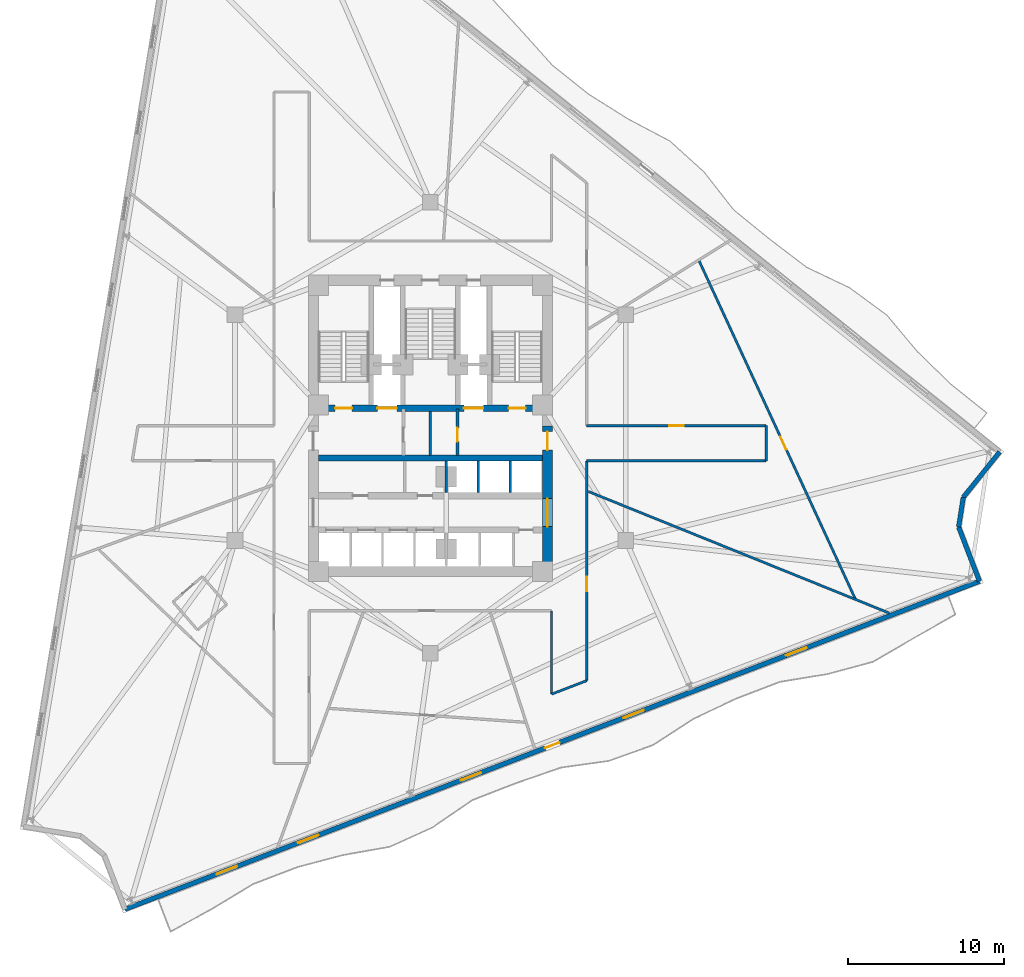
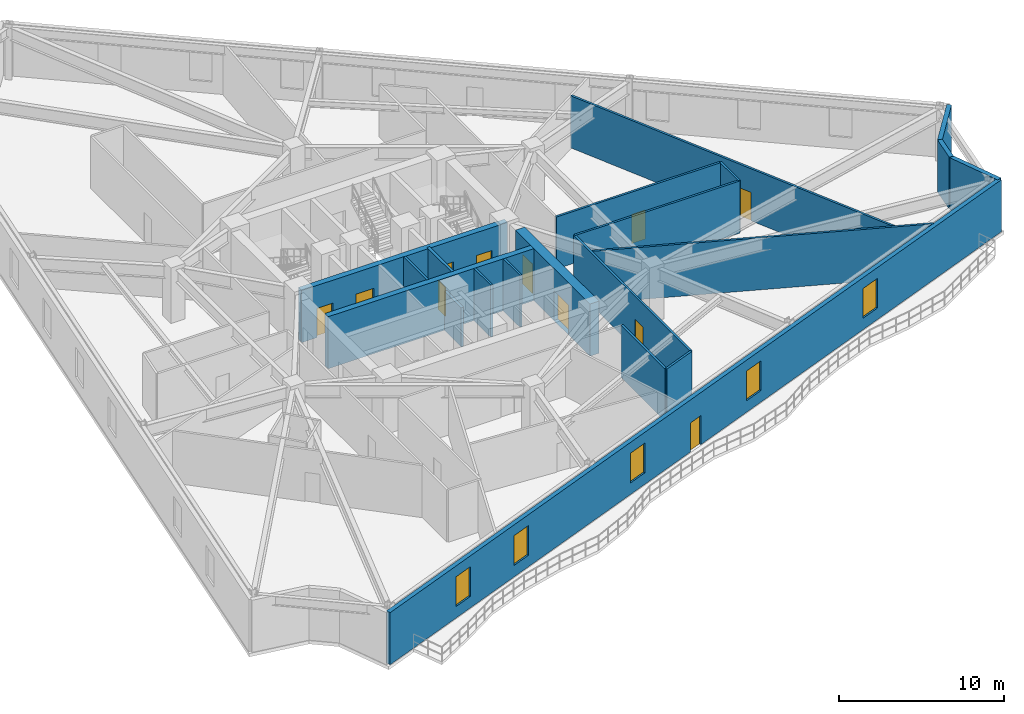
# One storey, part 5 of 10: 20 walls, 11 doors, 5 windows, 16 openings.
"""IFC4 building model written with IfcOpenShell, lengths in metres."""

from ifc_helpers import new_model, si_unit, direction, frame, frame_2d, origin, place, context, subcontext, project, spatial, rectangle, extrude, material, layer, layer_set, type_object, element, fill, save


model = new_model("IFC4")

# Units and contexts
model_context = context("Model", 3, precision=1e-05, world=origin(), true_north=direction((0.0, 1.0)))
body_context = subcontext(model_context, "Body", "Model", "MODEL_VIEW")
ifc_project = project(units=[si_unit("LENGTHUNIT", "METRE"), si_unit("AREAUNIT", "SQUARE_METRE"), si_unit("VOLUMEUNIT", "CUBIC_METRE"), si_unit("PLANEANGLEUNIT", "RADIAN"), si_unit("MASSUNIT", "GRAM", prefix="KILO")], contexts=[model_context])

# Site, building, storey
site_placement = place(None, origin())
site = spatial("IfcSite", under=ifc_project, at=site_placement, CompositionType="ELEMENT")
building_placement = place(site_placement, origin())
building = spatial("IfcBuilding", under=site, at=building_placement, Name="Apsidion Concourse Tower", CompositionType="ELEMENT")
storey_placement = place(building_placement, frame((0.0, 0.0, 136.300048828125)))
storey = spatial("IfcBuildingStorey", under=building, at=storey_placement, Name="L31", CompositionType="ELEMENT", Elevation=136.300048828125)

# Walls
ifc_material_1 = material(Name="Precast concrete C40/50", Category="concrete")
ifc_layer_1 = layer(ifc_material_1, 0.300048828125)
ifc_layer_set_1 = layer_set([ifc_layer_1], Name="Precast concrete C40/50")
wall_type_1 = type_object("IfcWallType", Name="WL-EXT-300", PredefinedType="STANDARD", material=ifc_layer_set_1)
wall_1_placement = place(storey_placement, frame((36.58984375, -1.556640625, 0.0), z_axis=(0.0, 0.0, 1.0), x_axis=(-0.62493402561, -0.780677567012, 0.0)))
element("IfcWall", 1, at=wall_1_placement, inside=storey, type_object=wall_type_1, Name="L31 Precast Stone Facade Wall 02", PredefinedType="STANDARD", context=body_context, shape_type="SweptSolid", body=[
    extrude(rectangle(XDim=3.737060546875, YDim=0.300048828125, at=frame_2d((1.86865234375, 0.0))), origin(), (0.0, 0.0, 1.0), 3.849853515625),
])
wall_2_placement = place(storey_placement, frame((34.25439453125, -4.47412109375, 0.0), z_axis=(0.0, 0.0, 1.0), x_axis=(-0.153717968475, -0.988114763663, 0.0)))
element("IfcWall", 2, at=wall_2_placement, inside=storey, type_object=wall_type_1, Name="L31 Precast Stone Facade Wall 03", PredefinedType="STANDARD", context=body_context, shape_type="SweptSolid", body=[
    extrude(rectangle(XDim=1.932861328125, YDim=0.300048828125, at=frame_2d((0.96630859375, 0.0))), origin(), (0.0, 0.0, 1.0), 3.849853515625),
])
wall_3_placement = place(storey_placement, frame((33.957275390625, -6.384033203125, 0.0), z_axis=(0.0, 0.0, 1.0), x_axis=(0.358344201462, -0.933589542186, 0.0)))
element("IfcWall", 3, at=wall_3_placement, inside=storey, type_object=wall_type_1, Name="L31 Precast Stone Facade Wall 04", PredefinedType="STANDARD", context=body_context, shape_type="SweptSolid", body=[
    extrude(rectangle(XDim=3.737060546875, YDim=0.300048828125, at=frame_2d((1.86865234375, 0.0))), origin(), (0.0, 0.0, 1.0), 3.849853515625),
])

# Wall, openings, door, windows
wall_4_placement = place(storey_placement, frame((35.29638671875, -9.872802734375, 0.0), z_axis=(0.0, 0.0, 1.0), x_axis=(-0.933580612554, -0.35836746485, 0.0)))
wall_4 = element("IfcWall", 4, at=wall_4_placement, inside=storey, type_object=wall_type_1, Name="L31 Precast Stone Facade Wall 05", PredefinedType="STANDARD", context=body_context, shape_type="SweptSolid", body=[
    extrude(rectangle(XDim=58.827880859375, YDim=0.300048828125, at=frame_2d((29.4140625, 0.0))), origin(), (0.0, 0.0, 1.0), 3.849853515625),
])
opening_1_placement = place(wall_4_placement, frame((28.9140625, 0.0, 0.0)))
opening_1 = element("IfcOpeningElement", 5, at=opening_1_placement, cuts=wall_4, Name="Opening D-T1R", PredefinedType="OPENING", context=body_context, shape_type="SweptSolid", body=[
    extrude(rectangle(XDim=1.0, YDim=2.14990234375, at=frame_2d((0.5, 1.074951171875))), frame((0.0, 0.16015625, 0.0), z_axis=(0.0, -1.0, 0.0), x_axis=(1.0, 0.0, 0.0)), (0.0, 0.0, 1.0), 0.320068359375),
])
opening_2_placement = place(wall_4_placement, frame((11.9140625, 0.0, 0.85009765625)))
opening_2 = element("IfcOpeningElement", 6, at=opening_2_placement, cuts=wall_4, Name="Opening WN-05", PredefinedType="OPENING", context=body_context, shape_type="SweptSolid", body=[
    extrude(rectangle(XDim=1.39990234375, YDim=2.199951171875, at=frame_2d((0.699951171875, 1.10009765625))), frame((0.0, 0.16015625, 0.0), z_axis=(0.0, -1.0, 0.0), x_axis=(1.0, 0.0, 0.0)), (0.0, 0.0, 1.0), 0.320068359375),
])
opening_3_placement = place(wall_4_placement, frame((23.114013671875, 0.0, 0.85009765625)))
opening_3 = element("IfcOpeningElement", 7, at=opening_3_placement, cuts=wall_4, Name="Opening WN-05", PredefinedType="OPENING", context=body_context, shape_type="SweptSolid", body=[
    extrude(rectangle(XDim=1.39990234375, YDim=2.199951171875, at=frame_2d((0.699951171875, 1.10009765625))), frame((0.0, 0.16015625, 0.0), z_axis=(0.0, -1.0, 0.0), x_axis=(1.0, 0.0, 0.0)), (0.0, 0.0, 1.0), 0.320068359375),
])
opening_4_placement = place(wall_4_placement, frame((34.31396484375, 0.0, 0.85009765625)))
opening_4 = element("IfcOpeningElement", 8, at=opening_4_placement, cuts=wall_4, Name="Opening WN-05", PredefinedType="OPENING", context=body_context, shape_type="SweptSolid", body=[
    extrude(rectangle(XDim=1.39990234375, YDim=2.199951171875, at=frame_2d((0.699951171875, 1.10009765625))), frame((0.0, 0.16015625, 0.0), z_axis=(0.0, -1.0, 0.0), x_axis=(1.0, 0.0, 0.0)), (0.0, 0.0, 1.0), 0.320068359375),
])
opening_5_placement = place(wall_4_placement, frame((45.513916015625, 0.0, 0.85009765625)))
opening_5 = element("IfcOpeningElement", 9, at=opening_5_placement, cuts=wall_4, Name="Opening WN-05", PredefinedType="OPENING", context=body_context, shape_type="SweptSolid", body=[
    extrude(rectangle(XDim=1.39990234375, YDim=2.199951171875, at=frame_2d((0.699951171875, 1.10009765625))), frame((0.0, 0.16015625, 0.0), z_axis=(0.0, -1.0, 0.0), x_axis=(1.0, 0.0, 0.0)), (0.0, 0.0, 1.0), 0.320068359375),
])
opening_6_placement = place(wall_4_placement, frame((51.114013671875, 0.0, 0.85009765625)))
opening_6 = element("IfcOpeningElement", 10, at=opening_6_placement, cuts=wall_4, Name="Opening WN-05", PredefinedType="OPENING", context=body_context, shape_type="SweptSolid", body=[
    extrude(rectangle(XDim=1.39990234375, YDim=2.199951171875, at=frame_2d((0.699951171875, 1.10009765625))), frame((0.0, 0.16015625, 0.0), z_axis=(0.0, -1.0, 0.0), x_axis=(1.0, 0.0, 0.0)), (0.0, 0.0, 1.0), 0.320068359375),
])
ifc_material_2 = material(Name="Anodised aluminium EN AW-6063 T6", Category="aluminium")
door_type_1 = type_object("IfcDoorType", Name="DR-TER-1022R", OperationType="SINGLE_SWING_RIGHT", PredefinedType="DOOR", material=ifc_material_2)
door_1_placement = place(opening_1_placement, origin())
door_1 = element("IfcDoor", 11, at=door_1_placement, inside=storey, type_object=door_type_1, Name="L31 Balcony Access Door 1", OperationType="SINGLE_SWING_RIGHT", OverallHeight=2.14990234375, OverallWidth=1.0, PredefinedType="DOOR", context=body_context, shape_type="SweptSolid", body=[
    extrude(rectangle(XDim=1.0, YDim=2.14990234375, at=frame_2d((0.5, 1.074951171875))), frame((0.0, 0.02490234375, 0.0), z_axis=(0.0, -1.0, 0.0), x_axis=(1.0, 0.0, 0.0)), (0.0, 0.0, 1.0), 0.050048828125),
])
fill(opening_1, door_1)
ifc_material_3 = material(Name="Insulated laminated low-E glass", Category="glass")
window_type = type_object("IfcWindowType", Name="WN-OFF-1424", PartitioningType="SINGLE_PANEL", PredefinedType="WINDOW", material=ifc_material_3)
window_1_placement = place(opening_2_placement, origin())
window_1 = element("IfcWindow", 12, at=window_1_placement, inside=storey, type_object=window_type, Name="L31 Punched Facade Window 5-02", OverallHeight=2.199951171875, OverallWidth=1.39990234375, PartitioningType="SINGLE_PANEL", PredefinedType="WINDOW", context=body_context, shape_type="SweptSolid", body=[
    extrude(rectangle(XDim=1.39990234375, YDim=2.199951171875, at=frame_2d((0.699951171875, 1.10009765625))), frame((0.0, 0.030029296875, 0.0), z_axis=(0.0, -1.0, 0.0), x_axis=(1.0, 0.0, 0.0)), (0.0, 0.0, 1.0), 0.06005859375),
])
fill(opening_2, window_1)
window_2_placement = place(opening_3_placement, origin())
window_2 = element("IfcWindow", 13, at=window_2_placement, inside=storey, type_object=window_type, Name="L31 Punched Facade Window 5-04", OverallHeight=2.199951171875, OverallWidth=1.39990234375, PartitioningType="SINGLE_PANEL", PredefinedType="WINDOW", context=body_context, shape_type="SweptSolid", body=[
    extrude(rectangle(XDim=1.39990234375, YDim=2.199951171875, at=frame_2d((0.699951171875, 1.10009765625))), frame((0.0, 0.030029296875, 0.0), z_axis=(0.0, -1.0, 0.0), x_axis=(1.0, 0.0, 0.0)), (0.0, 0.0, 1.0), 0.06005859375),
])
fill(opening_3, window_2)
window_3_placement = place(opening_4_placement, origin())
window_3 = element("IfcWindow", 14, at=window_3_placement, inside=storey, type_object=window_type, Name="L31 Punched Facade Window 5-06", OverallHeight=2.199951171875, OverallWidth=1.39990234375, PartitioningType="SINGLE_PANEL", PredefinedType="WINDOW", context=body_context, shape_type="SweptSolid", body=[
    extrude(rectangle(XDim=1.39990234375, YDim=2.199951171875, at=frame_2d((0.699951171875, 1.10009765625))), frame((0.0, 0.030029296875, 0.0), z_axis=(0.0, -1.0, 0.0), x_axis=(1.0, 0.0, 0.0)), (0.0, 0.0, 1.0), 0.06005859375),
])
fill(opening_4, window_3)
window_4_placement = place(opening_5_placement, origin())
window_4 = element("IfcWindow", 15, at=window_4_placement, inside=storey, type_object=window_type, Name="L31 Punched Facade Window 5-08", OverallHeight=2.199951171875, OverallWidth=1.39990234375, PartitioningType="SINGLE_PANEL", PredefinedType="WINDOW", context=body_context, shape_type="SweptSolid", body=[
    extrude(rectangle(XDim=1.39990234375, YDim=2.199951171875, at=frame_2d((0.699951171875, 1.10009765625))), frame((0.0, 0.030029296875, 0.0), z_axis=(0.0, -1.0, 0.0), x_axis=(1.0, 0.0, 0.0)), (0.0, 0.0, 1.0), 0.06005859375),
])
fill(opening_5, window_4)
window_5_placement = place(opening_6_placement, origin())
window_5 = element("IfcWindow", 16, at=window_5_placement, inside=storey, type_object=window_type, Name="L31 Punched Facade Window 5-09", OverallHeight=2.199951171875, OverallWidth=1.39990234375, PartitioningType="SINGLE_PANEL", PredefinedType="WINDOW", context=body_context, shape_type="SweptSolid", body=[
    extrude(rectangle(XDim=1.39990234375, YDim=2.199951171875, at=frame_2d((0.699951171875, 1.10009765625))), frame((0.0, 0.030029296875, 0.0), z_axis=(0.0, -1.0, 0.0), x_axis=(1.0, 0.0, 0.0)), (0.0, 0.0, 1.0), 0.06005859375),
])
fill(opening_6, window_5)

# Walls
ifc_material_4 = material(Name="Gypsum plasterboard partition")
ifc_layer_2 = layer(ifc_material_4, 0.14990234375)
ifc_layer_set_2 = layer_set([ifc_layer_2], Name="Gypsum plasterboard partition")
wall_type_2 = type_object("IfcWallType", Name="WL-INT-PAR-150", PredefinedType="PARTITIONING", material=ifc_layer_set_2)
for number, where, z_axis, x_axis, name in (
    (17, (3.074951171875, -4.179931640625, 0.0), (0.0, 0.0, 1.0), (0.0, 1.0, 0.0), "L31 Interior Partition WL-L31-B3DIV-1"),
    (18, (5.125, -4.179931640625, 0.0), (0.0, 0.0, 1.0), (0.0, 1.0, 0.0), "L31 Interior Partition WL-L31-B3DIV-2"),
):
    element("IfcWall", number, at=place(storey_placement, frame(where, z_axis=z_axis, x_axis=x_axis)), inside=storey, type_object=wall_type_2, Name=name, PredefinedType="PARTITIONING", context=body_context, shape_type="SweptSolid", body=[
        extrude(rectangle(XDim=2.030029296875, YDim=0.14990234375, at=frame_2d((1.01513671875, 0.0))), origin(), (0.0, 0.0, 1.0), 3.849853515625),
    ])
wall_5_placement = place(storey_placement, frame((0.0, -1.780029296875, 0.0), z_axis=(0.0, 0.0, 1.0), x_axis=(0.0, 1.0, 0.0)))
element("IfcWall", 19, at=wall_5_placement, inside=storey, type_object=wall_type_2, Name="L31 Interior Partition WL-L31-K3V", PredefinedType="PARTITIONING", context=body_context, shape_type="SweptSolid", body=[
    extrude(rectangle(XDim=2.830078125, YDim=0.14990234375, at=frame_2d((1.4150390625, 0.0))), origin(), (0.0, 0.0, 1.0), 3.849853515625),
])
wall_6_placement = place(storey_placement, frame((10.050048828125, -16.259521484375, 0.0), z_axis=(0.0, 0.0, 1.0), x_axis=(-0.933561171802, -0.358418105713, 0.0)))
element("IfcWall", 20, at=wall_6_placement, inside=storey, type_object=wall_type_2, Name="L31 Interior Partition WL-L31-CORR-01", PredefinedType="PARTITIONING", context=body_context, shape_type="SweptSolid", body=[
    extrude(rectangle(XDim=2.4208984375, YDim=0.14990234375, at=frame_2d((1.21044921875, 0.0))), origin(), (0.0, 0.0, 1.0), 3.849853515625),
])
wall_7_placement = place(storey_placement, frame((7.7900390625, -17.127197265625, 0.0), z_axis=(0.0, 0.0, 1.0), x_axis=(0.0, 1.0, 0.0)))
element("IfcWall", 21, at=wall_7_placement, inside=storey, type_object=wall_type_2, Name="L31 Interior Partition WL-L31-CORR-02", PredefinedType="PARTITIONING", context=body_context, shape_type="SweptSolid", body=[
    extrude(rectangle(XDim=5.352294921875, YDim=0.14990234375, at=frame_2d((2.67626953125, 0.0))), origin(), (0.0, 0.0, 1.0), 3.849853515625),
])

# Wall, opening, door
wall_8_placement = place(storey_placement, frame((10.050048828125, 0.1298828125, 0.0), z_axis=(0.0, 0.0, 1.0), x_axis=(1.0, 0.0, 0.0)))
wall_8 = element("IfcWall", 22, at=wall_8_placement, inside=storey, type_object=wall_type_2, Name="L31 Interior Partition WL-L31-CORR-17", PredefinedType="PARTITIONING", context=body_context, shape_type="SweptSolid", body=[
    extrude(rectangle(XDim=11.530029296875, YDim=0.14990234375, at=frame_2d((5.76513671875, 0.0))), origin(), (0.0, 0.0, 1.0), 3.849853515625),
])
opening_7_placement = place(wall_8_placement, frame((5.2900390625, 0.0, 0.0)))
opening_7 = element("IfcOpeningElement", 23, at=opening_7_placement, cuts=wall_8, Name="Opening D-01L", PredefinedType="OPENING", context=body_context, shape_type="SweptSolid", body=[
    extrude(rectangle(XDim=0.949951171875, YDim=2.14990234375, at=frame_2d((0.47509765625, 1.074951171875))), frame((0.0, 0.0849609375, 0.0), z_axis=(0.0, -1.0, 0.0), x_axis=(1.0, 0.0, 0.0)), (0.0, 0.0, 1.0), 0.169921875),
])
ifc_material_5 = material(Name="Brushed stainless steel 316", Category="steel")
door_type_2 = type_object("IfcDoorType", Name="DR-INT-D01L", OperationType="SINGLE_SWING_LEFT", PredefinedType="DOOR", material=ifc_material_5)
door_2_placement = place(opening_7_placement, origin())
door_2 = element("IfcDoor", 24, at=door_2_placement, inside=storey, type_object=door_type_2, Name="L31 Corridor Entry Door 05", OperationType="SINGLE_SWING_LEFT", OverallHeight=2.14990234375, OverallWidth=0.949951171875, PredefinedType="DOOR", context=body_context, shape_type="SweptSolid", body=[
    extrude(rectangle(XDim=0.949951171875, YDim=2.14990234375, at=frame_2d((0.47509765625, 1.074951171875))), frame((0.0, 0.02490234375, 0.0), z_axis=(0.0, -1.0, 0.0), x_axis=(1.0, 0.0, 0.0)), (0.0, 0.0, 1.0), 0.050048828125),
])
fill(opening_7, door_2)

# Walls
wall_9_placement = place(storey_placement, frame((21.580078125, 0.1298828125, 0.0), z_axis=(0.0, 0.0, 1.0), x_axis=(0.0, -1.0, 0.0)))
element("IfcWall", 25, at=wall_9_placement, inside=storey, type_object=wall_type_2, Name="L31 Interior Partition WL-L31-CORR-18", PredefinedType="PARTITIONING", context=body_context, shape_type="SweptSolid", body=[
    extrude(rectangle(XDim=2.259765625, YDim=0.14990234375, at=frame_2d((1.1298828125, 0.0))), origin(), (0.0, 0.0, 1.0), 3.849853515625),
])
wall_10_placement = place(storey_placement, frame((21.580078125, -2.1298828125, 0.0), z_axis=(0.0, 0.0, 1.0), x_axis=(-1.0, 0.0, 0.0)))
element("IfcWall", 26, at=wall_10_placement, inside=storey, type_object=wall_type_2, Name="L31 Interior Partition WL-L31-CORR-19", PredefinedType="PARTITIONING", context=body_context, shape_type="SweptSolid", body=[
    extrude(rectangle(XDim=11.530029296875, YDim=0.14990234375, at=frame_2d((5.76513671875, 0.0))), origin(), (0.0, 0.0, 1.0), 3.849853515625),
])

# Wall, opening, door
wall_11_placement = place(storey_placement, frame((10.050048828125, -2.1298828125, 0.0), z_axis=(0.0, 0.0, 1.0), x_axis=(0.0, -1.0, 0.0)))
wall_11 = element("IfcWall", 27, at=wall_11_placement, inside=storey, type_object=wall_type_2, Name="L31 Interior Partition WL-L31-CORR-20", PredefinedType="PARTITIONING", context=body_context, shape_type="SweptSolid", body=[
    extrude(rectangle(XDim=14.129638671875, YDim=0.14990234375, at=frame_2d((7.06494140625, 0.0))), origin(), (0.0, 0.0, 1.0), 3.849853515625),
])
opening_8_placement = place(wall_11_placement, frame((7.447509765625, 0.0, 0.0)))
opening_8 = element("IfcOpeningElement", 28, at=opening_8_placement, cuts=wall_11, Name="Opening D-01R", PredefinedType="OPENING", context=body_context, shape_type="SweptSolid", body=[
    extrude(rectangle(XDim=0.949951171875, YDim=2.14990234375, at=frame_2d((0.47509765625, 1.074951171875))), frame((0.0, 0.0849609375, 0.0), z_axis=(0.0, -1.0, 0.0), x_axis=(1.0, 0.0, 0.0)), (0.0, 0.0, 1.0), 0.169921875),
])
door_type_3 = type_object("IfcDoorType", Name="DR-INT-D01R", OperationType="SINGLE_SWING_RIGHT", PredefinedType="DOOR", material=ifc_material_5)
door_3_placement = place(opening_8_placement, origin())
door_3 = element("IfcDoor", 29, at=door_3_placement, inside=storey, type_object=door_type_3, Name="L31 Corridor Entry Door 04", OperationType="SINGLE_SWING_RIGHT", OverallHeight=2.14990234375, OverallWidth=0.949951171875, PredefinedType="DOOR", context=body_context, shape_type="SweptSolid", body=[
    extrude(rectangle(XDim=0.949951171875, YDim=2.14990234375, at=frame_2d((0.47509765625, 1.074951171875))), frame((0.0, 0.02490234375, 0.0), z_axis=(0.0, -1.0, 0.0), x_axis=(1.0, 0.0, 0.0)), (0.0, 0.0, 1.0), 0.050048828125),
])
fill(opening_8, door_3)

# Wall
wall_12_placement = place(storey_placement, frame((10.155029296875, -4.102783203125, 0.0), z_axis=(0.0, 0.0, 1.0), x_axis=(0.92718417314, -0.374605804918, 0.0)))
element("IfcWall", 30, at=wall_12_placement, inside=storey, type_object=wall_type_2, Name="L31 Interior Partition WL-L31-RAD-07-1", PredefinedType="PARTITIONING", context=body_context, shape_type="SweptSolid", body=[
    extrude(rectangle(XDim=20.86767578125, YDim=0.14990234375, at=frame_2d((10.433837890625, 0.0))), origin(), (0.0, 0.0, 1.0), 3.849853515625),
])

# Wall, opening, door
wall_13_placement = place(storey_placement, frame((27.313232421875, -11.00830078125, 0.0), z_axis=(0.0, 0.0, 1.0), x_axis=(-0.419386215123, 0.907807910609, 0.0)))
wall_13 = element("IfcWall", 31, at=wall_13_placement, inside=storey, type_object=wall_type_2, Name="L31 Interior Partition WL-L31-CHD-OFS04", PredefinedType="PARTITIONING", context=body_context, shape_type="SweptSolid", body=[
    extrude(rectangle(XDim=23.9736328125, YDim=0.14990234375, at=frame_2d((11.98681640625, 0.0))), origin(), (0.0, 0.0, 1.0), 3.849853515625),
])
opening_9_placement = place(wall_13_placement, frame((10.5869140625, 0.0, 0.0)))
opening_9 = element("IfcOpeningElement", 32, at=opening_9_placement, cuts=wall_13, Name="Opening D-02L", PredefinedType="OPENING", context=body_context, shape_type="SweptSolid", body=[
    extrude(rectangle(XDim=0.89990234375, YDim=2.10009765625, at=frame_2d((0.449951171875, 1.050048828125))), frame((0.0, 0.0849609375, 0.0), z_axis=(0.0, -1.0, 0.0), x_axis=(1.0, 0.0, 0.0)), (0.0, 0.0, 1.0), 0.169921875),
])
door_type_4 = type_object("IfcDoorType", Name="DR-INT-D02L", OperationType="SINGLE_SWING_LEFT", PredefinedType="DOOR", material=ifc_material_2)
door_4_placement = place(opening_9_placement, origin())
door_4 = element("IfcDoor", 33, at=door_4_placement, inside=storey, type_object=door_type_4, Name="L31 Suite Connecting Door OFS04", OperationType="SINGLE_SWING_LEFT", OverallHeight=2.10009765625, OverallWidth=0.89990234375, PredefinedType="DOOR", context=body_context, shape_type="SweptSolid", body=[
    extrude(rectangle(XDim=0.89990234375, YDim=2.10009765625, at=frame_2d((0.449951171875, 1.050048828125))), frame((0.0, 0.02490234375, 0.0), z_axis=(0.0, -1.0, 0.0), x_axis=(1.0, 0.0, 0.0)), (0.0, 0.0, 1.0), 0.050048828125),
])
fill(opening_9, door_4)

# Wall
ifc_layer_3 = layer(ifc_material_4, 0.179931640625)
ifc_layer_set_3 = layer_set([ifc_layer_3], Name="Gypsum plasterboard partition")
wall_type_3 = type_object("IfcWallType", Name="WL-INT-PAR-180", PredefinedType="PARTITIONING", material=ifc_layer_set_3)
wall_14_placement = place(storey_placement, frame((1.02490234375, -4.179931640625, 0.0), z_axis=(0.0, 0.0, 1.0), x_axis=(0.0, 1.0, 0.0)))
element("IfcWall", 34, at=wall_14_placement, inside=storey, type_object=wall_type_3, Name="L31 Interior Partition WL-L31-B1END", PredefinedType="PARTITIONING", context=body_context, shape_type="SweptSolid", body=[
    extrude(rectangle(XDim=2.030029296875, YDim=0.179931640625, at=frame_2d((1.01513671875, 0.0))), origin(), (0.0, 0.0, 1.0), 2.89794921875),
])

# Wall, opening, door
ifc_layer_4 = layer(ifc_material_4, 0.199951171875)
ifc_layer_set_4 = layer_set([ifc_layer_4], Name="Gypsum plasterboard partition")
wall_type_4 = type_object("IfcWallType", Name="WL-INT-PAR-200", PredefinedType="PARTITIONING", material=ifc_layer_set_4)
wall_15_placement = place(storey_placement, frame((1.739990234375, -1.780029296875, 0.0), z_axis=(0.0, 0.0, 1.0), x_axis=(0.0, 1.0, 0.0)))
wall_15 = element("IfcWall", 35, at=wall_15_placement, inside=storey, type_object=wall_type_4, Name="L31 Interior Partition WL-L31-FF2-W", PredefinedType="PARTITIONING", context=body_context, shape_type="SweptSolid", body=[
    extrude(rectangle(XDim=2.97998046875, YDim=0.199951171875, at=frame_2d((1.489990234375, 0.0))), origin(), (0.0, 0.0, 1.0), 3.849853515625),
])
opening_10_placement = place(wall_15_placement, frame((0.889892578125, 0.0, 0.0)))
opening_10 = element("IfcOpeningElement", 36, at=opening_10_placement, cuts=wall_15, Name="Opening D-05L", PredefinedType="OPENING", context=body_context, shape_type="SweptSolid", body=[
    extrude(rectangle(XDim=0.8798828125, YDim=2.14990234375, at=frame_2d((0.43994140625, 1.074951171875))), frame((0.0, 0.10986328125, 0.0), z_axis=(0.0, -1.0, 0.0), x_axis=(1.0, 0.0, 0.0)), (0.0, 0.0, 1.0), 0.219970703125),
])
door_type_5 = type_object("IfcDoorType", Name="DR-INT-D05L", OperationType="SINGLE_SWING_LEFT", PredefinedType="DOOR", material=ifc_material_5)
door_5_placement = place(opening_10_placement, origin())
door_5 = element("IfcDoor", 37, at=door_5_placement, inside=storey, type_object=door_type_5, Name="L31 Core Electrical Door", OperationType="SINGLE_SWING_LEFT", OverallHeight=2.14990234375, OverallWidth=0.8798828125, PredefinedType="DOOR", context=body_context, shape_type="SweptSolid", body=[
    extrude(rectangle(XDim=0.8798828125, YDim=2.14990234375, at=frame_2d((0.43994140625, 1.074951171875))), frame((0.0, 0.02490234375, 0.0), z_axis=(0.0, -1.0, 0.0), x_axis=(1.0, 0.0, 0.0)), (0.0, 0.0, 1.0), 0.050048828125),
])
fill(opening_10, door_5)

# Wall, openings, doors
ifc_material_6 = material(Name="Concrete C50/60", Category="concrete")
ifc_layer_5 = layer(ifc_material_6, 0.39990234375)
ifc_layer_set_5 = layer_set([ifc_layer_5], Name="Concrete C50/60")
wall_type_5 = type_object("IfcWallType", Name="WL-SH-400", PredefinedType="SHEAR", material=ifc_layer_set_5)
wall_16_placement = place(storey_placement, frame((-7.199951171875, 1.25, 0.0), z_axis=(0.0, 0.0, 1.0), x_axis=(1.0, 0.0, 0.0)))
wall_16 = element("IfcWall", 38, at=wall_16_placement, inside=storey, type_object=wall_type_5, Name="L31 Central Core Shear Wall M1", PredefinedType="SHEAR", context=body_context, shape_type="SweptSolid", body=[
    extrude(rectangle(XDim=14.39990234375, YDim=0.39990234375, at=frame_2d((7.199951171875, 0.0))), origin(), (0.0, 0.0, 1.0), 3.849853515625),
])
opening_11_placement = place(wall_16_placement, frame((3.794921875, 0.0, 0.0)))
opening_11 = element("IfcOpeningElement", 39, at=opening_11_placement, cuts=wall_16, Name="Opening LD-FF", PredefinedType="OPENING", context=body_context, shape_type="SweptSolid", body=[
    extrude(rectangle(XDim=1.25, YDim=2.25, at=frame_2d((0.625, 1.125))), frame((0.0, 0.2099609375, 0.0), z_axis=(0.0, -1.0, 0.0), x_axis=(1.0, 0.0, 0.0)), (0.0, 0.0, 1.0), 0.419921875),
])
opening_12_placement = place(wall_16_placement, frame((9.35498046875, 0.0, 0.0)))
opening_12 = element("IfcOpeningElement", 40, at=opening_12_placement, cuts=wall_16, Name="Opening LD-FF", PredefinedType="OPENING", context=body_context, shape_type="SweptSolid", body=[
    extrude(rectangle(XDim=1.25, YDim=2.25, at=frame_2d((0.625, 1.125))), frame((0.0, 0.2099609375, 0.0), z_axis=(0.0, -1.0, 0.0), x_axis=(1.0, 0.0, 0.0)), (0.0, 0.0, 1.0), 0.419921875),
])
opening_13_placement = place(wall_16_placement, frame((1.074951171875, 0.0, 0.0)))
opening_13 = element("IfcOpeningElement", 41, at=opening_13_placement, cuts=wall_16, Name="Opening D-STL", PredefinedType="OPENING", context=body_context, shape_type="SweptSolid", body=[
    extrude(rectangle(XDim=1.10009765625, YDim=2.14990234375, at=frame_2d((0.550048828125, 1.074951171875))), frame((0.0, 0.2099609375, 0.0), z_axis=(0.0, -1.0, 0.0), x_axis=(1.0, 0.0, 0.0)), (0.0, 0.0, 1.0), 0.419921875),
])
opening_14_placement = place(wall_16_placement, frame((12.22509765625, 0.0, 0.0)))
opening_14 = element("IfcOpeningElement", 42, at=opening_14_placement, cuts=wall_16, Name="Opening D-STR", PredefinedType="OPENING", context=body_context, shape_type="SweptSolid", body=[
    extrude(rectangle(XDim=1.10009765625, YDim=2.14990234375, at=frame_2d((0.550048828125, 1.074951171875))), frame((0.0, 0.2099609375, 0.0), z_axis=(0.0, -1.0, 0.0), x_axis=(1.0, 0.0, 0.0)), (0.0, 0.0, 1.0), 0.419921875),
])
door_type_6 = type_object("IfcDoorType", Name="DR-INT-ST1L", OperationType="SINGLE_SWING_LEFT", PredefinedType="DOOR", material=ifc_material_5)
door_6_placement = place(opening_13_placement, origin())
door_6 = element("IfcDoor", 43, at=door_6_placement, inside=storey, type_object=door_type_6, Name="L31 Core Exit Stair ST1 Door", OperationType="SINGLE_SWING_LEFT", OverallHeight=2.14990234375, OverallWidth=1.10009765625, PredefinedType="DOOR", context=body_context, shape_type="SweptSolid", body=[
    extrude(rectangle(XDim=1.10009765625, YDim=2.14990234375, at=frame_2d((0.550048828125, 1.074951171875))), frame((0.0, 0.02490234375, 0.0), z_axis=(0.0, -1.0, 0.0), x_axis=(1.0, 0.0, 0.0)), (0.0, 0.0, 1.0), 0.050048828125),
])
fill(opening_13, door_6)
door_type_7 = type_object("IfcDoorType", Name="DR-INT-ST1R", OperationType="SINGLE_SWING_RIGHT", PredefinedType="DOOR", material=ifc_material_5)
door_7_placement = place(opening_14_placement, origin())
door_7 = element("IfcDoor", 44, at=door_7_placement, inside=storey, type_object=door_type_7, Name="L31 Core Exit Stair ST2 Door", OperationType="SINGLE_SWING_RIGHT", OverallHeight=2.14990234375, OverallWidth=1.10009765625, PredefinedType="DOOR", context=body_context, shape_type="SweptSolid", body=[
    extrude(rectangle(XDim=1.10009765625, YDim=2.14990234375, at=frame_2d((0.550048828125, 1.074951171875))), frame((0.0, 0.02490234375, 0.0), z_axis=(0.0, -1.0, 0.0), x_axis=(1.0, 0.0, 0.0)), (0.0, 0.0, 1.0), 0.050048828125),
])
fill(opening_14, door_7)
door_type_8 = type_object("IfcDoorType", Name="DR-LD-FSAE", OperationType="DOUBLE_DOOR_SLIDING", PredefinedType="DOOR", material=ifc_material_5)
door_8_placement = place(opening_11_placement, origin())
door_8 = element("IfcDoor", 45, at=door_8_placement, inside=storey, type_object=door_type_8, Name="L31 Lift Landing Door FF1", OperationType="DOUBLE_DOOR_SLIDING", OverallHeight=2.25, OverallWidth=1.25, PredefinedType="DOOR", context=body_context, shape_type="SweptSolid", body=[
    extrude(rectangle(XDim=1.25, YDim=2.25, at=frame_2d((0.625, 1.125))), frame((0.0, 0.02490234375, 0.0), z_axis=(0.0, -1.0, 0.0), x_axis=(1.0, 0.0, 0.0)), (0.0, 0.0, 1.0), 0.050048828125),
])
fill(opening_11, door_8)
door_9_placement = place(opening_12_placement, origin())
door_9 = element("IfcDoor", 46, at=door_9_placement, inside=storey, type_object=door_type_8, Name="L31 Lift Landing Door FF2", OperationType="DOUBLE_DOOR_SLIDING", OverallHeight=2.25, OverallWidth=1.25, PredefinedType="DOOR", context=body_context, shape_type="SweptSolid", body=[
    extrude(rectangle(XDim=1.25, YDim=2.25, at=frame_2d((0.625, 1.125))), frame((0.0, 0.02490234375, 0.0), z_axis=(0.0, -1.0, 0.0), x_axis=(1.0, 0.0, 0.0)), (0.0, 0.0, 1.0), 0.050048828125),
])
fill(opening_12, door_9)

# Wall
wall_17_placement = place(storey_placement, frame((-7.199951171875, -1.949951171875, 0.0), z_axis=(0.0, 0.0, 1.0), x_axis=(1.0, 0.0, 0.0)))
element("IfcWall", 47, at=wall_17_placement, inside=storey, type_object=wall_type_5, Name="L31 Central Core Shear Wall M2", PredefinedType="SHEAR", context=body_context, shape_type="SweptSolid", body=[
    extrude(rectangle(XDim=14.39990234375, YDim=0.39990234375, at=frame_2d((7.199951171875, 0.0))), origin(), (0.0, 0.0, 1.0), 3.849853515625),
])

# Wall, openings, doors
ifc_layer_6 = layer(ifc_material_6, 0.64990234375)
ifc_layer_set_6 = layer_set([ifc_layer_6], Name="Concrete C50/60")
wall_type_6 = type_object("IfcWallType", Name="WL-SH-650", PredefinedType="SHEAR", material=ifc_layer_set_6)
wall_18_placement = place(storey_placement, frame((7.52490234375, -8.925048828125, 0.0), z_axis=(0.0, 0.0, 1.0), x_axis=(0.0, 1.0, 0.0)))
wall_18 = element("IfcWall", 48, at=wall_18_placement, inside=storey, type_object=wall_type_6, Name="L31 Central Core Shear Wall ES", PredefinedType="SHEAR", context=body_context, shape_type="SweptSolid", body=[
    extrude(rectangle(XDim=9.025146484375, YDim=0.64990234375, at=frame_2d((4.5126953125, 0.0))), origin(), (0.0, 0.0, 1.0), 3.849853515625),
])
opening_15_placement = place(wall_18_placement, frame((2.56494140625, 0.0, 0.0)))
opening_15 = element("IfcOpeningElement", 49, at=opening_15_placement, cuts=wall_18, Name="Opening D-06D", PredefinedType="OPENING", context=body_context, shape_type="SweptSolid", body=[
    extrude(rectangle(XDim=1.800048828125, YDim=2.199951171875, at=frame_2d((0.89990234375, 1.10009765625))), frame((0.0, 0.3349609375, 0.0), z_axis=(0.0, -1.0, 0.0), x_axis=(1.0, 0.0, 0.0)), (0.0, 0.0, 1.0), 0.669921875),
])
opening_16_placement = place(wall_18_placement, frame((7.47509765625, 0.0, 0.0)))
opening_16 = element("IfcOpeningElement", 50, at=opening_16_placement, cuts=wall_18, Name="Opening D-FFR", PredefinedType="OPENING", context=body_context, shape_type="SweptSolid", body=[
    extrude(rectangle(XDim=1.199951171875, YDim=2.14990234375, at=frame_2d((0.60009765625, 1.074951171875))), frame((0.0, 0.3349609375, 0.0), z_axis=(0.0, -1.0, 0.0), x_axis=(1.0, 0.0, 0.0)), (0.0, 0.0, 1.0), 0.669921875),
])
door_type_9 = type_object("IfcDoorType", Name="DR-INT-D06D", OperationType="DOUBLE_DOOR_SINGLE_SWING", PredefinedType="DOOR", material=ifc_material_5)
door_10_placement = place(opening_15_placement, origin())
door_10 = element("IfcDoor", 51, at=door_10_placement, inside=storey, type_object=door_type_9, Name="L31 Passenger Lift Lobby ES Portal Door", OperationType="DOUBLE_DOOR_SINGLE_SWING", OverallHeight=2.199951171875, OverallWidth=1.800048828125, PredefinedType="DOOR", context=body_context, shape_type="SweptSolid", body=[
    extrude(rectangle(XDim=1.800048828125, YDim=2.199951171875, at=frame_2d((0.89990234375, 1.10009765625))), frame((0.0, 0.02490234375, 0.0), z_axis=(0.0, -1.0, 0.0), x_axis=(1.0, 0.0, 0.0)), (0.0, 0.0, 1.0), 0.050048828125),
])
fill(opening_15, door_10)
door_type_10 = type_object("IfcDoorType", Name="DR-INT-FFR", OperationType="SINGLE_SWING_RIGHT", PredefinedType="DOOR", material=ifc_material_5)
door_11_placement = place(opening_16_placement, origin())
door_11 = element("IfcDoor", 52, at=door_11_placement, inside=storey, type_object=door_type_10, Name="L31 Firefighting Lift Lobby FF2 Door", OperationType="SINGLE_SWING_RIGHT", OverallHeight=2.14990234375, OverallWidth=1.199951171875, PredefinedType="DOOR", context=body_context, shape_type="SweptSolid", body=[
    extrude(rectangle(XDim=1.199951171875, YDim=2.14990234375, at=frame_2d((0.60009765625, 1.074951171875))), frame((0.0, 0.02490234375, 0.0), z_axis=(0.0, -1.0, 0.0), x_axis=(1.0, 0.0, 0.0)), (0.0, 0.0, 1.0), 0.050048828125),
])
fill(opening_16, door_11)

save(model, "model.ifc")
